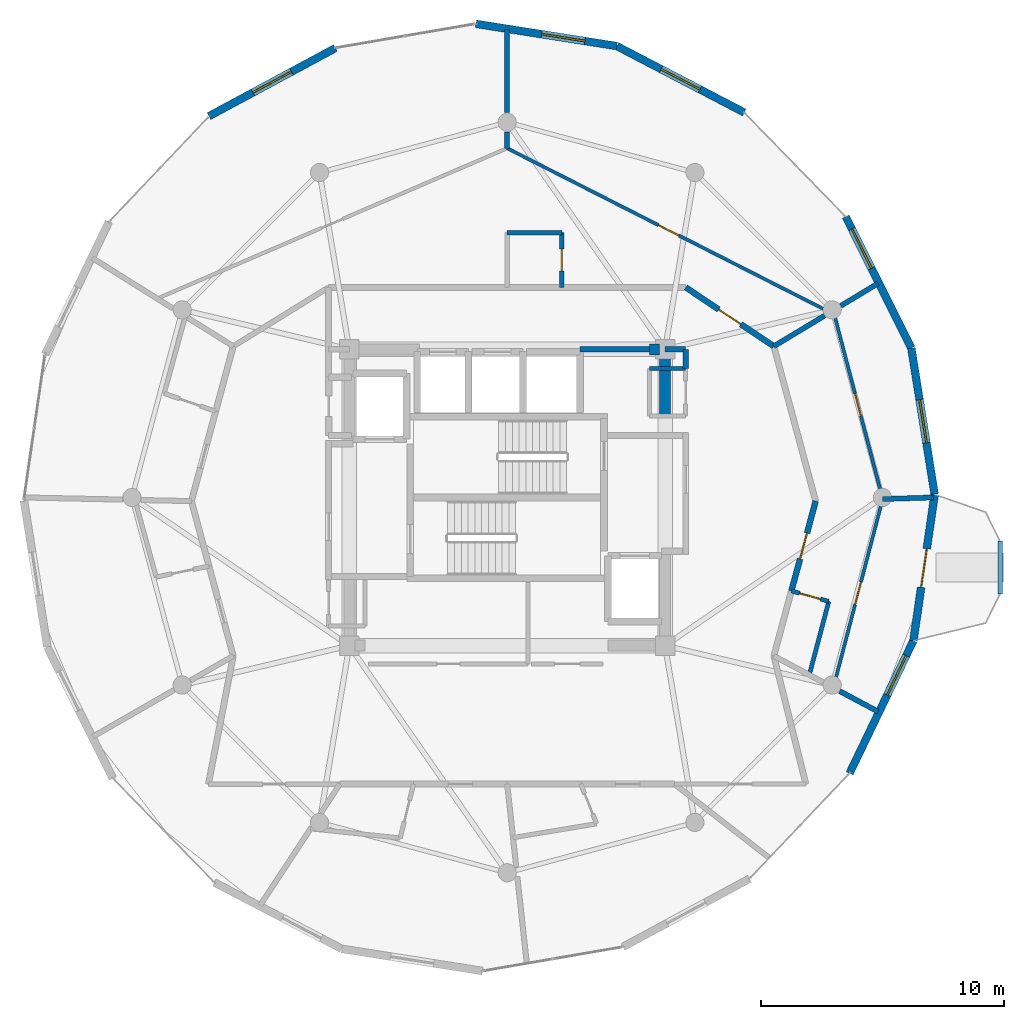
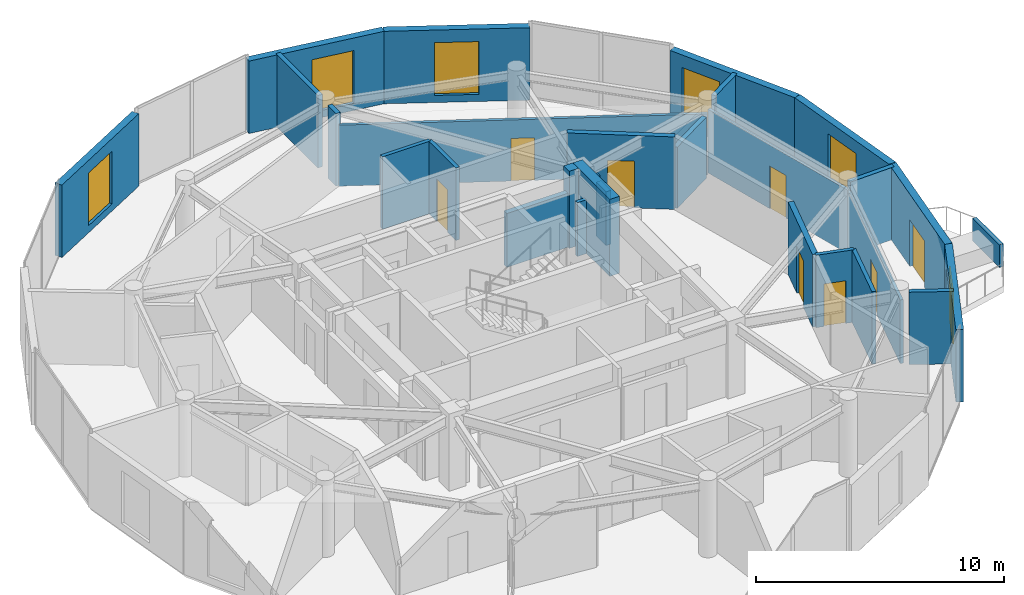
# One storey, part 19 of 22: 29 walls, 8 doors, 6 windows, 14 openings.
"""IFC4 building model written with IfcOpenShell, lengths in metres."""

from ifc_helpers import new_model, si_unit, direction, frame, frame_2d, origin, place, context, subcontext, project, spatial, rectangle, extrude, material, layer, layer_set, type_object, element, fill, save


model = new_model("IFC4")

# Units and contexts
model_context = context("Model", 3, precision=1e-05, world=origin(), true_north=direction((0.0, 1.0)))
body_context = subcontext(model_context, "Body", "Model", "MODEL_VIEW")
ifc_project = project(units=[si_unit("LENGTHUNIT", "METRE"), si_unit("AREAUNIT", "SQUARE_METRE"), si_unit("VOLUMEUNIT", "CUBIC_METRE"), si_unit("PLANEANGLEUNIT", "RADIAN"), si_unit("MASSUNIT", "GRAM", prefix="KILO")], contexts=[model_context])

# Site, building, storey
site_placement = place(None, origin())
site = spatial("IfcSite", under=ifc_project, at=site_placement, CompositionType="ELEMENT")
building_placement = place(site_placement, origin())
building = spatial("IfcBuilding", under=site, at=building_placement, Name="Solvirekh Grand Hotel", CompositionType="ELEMENT")
storey_placement = place(building_placement, frame((0.0, 0.0, 278.199951171875)))
storey = spatial("IfcBuildingStorey", under=building, at=storey_placement, Name="L72", CompositionType="ELEMENT", Elevation=278.199951171875)

# Walls
ifc_material_1 = material(Name="Concrete C50/60", Category="concrete")
ifc_layer_1 = layer(ifc_material_1, 0.449951171875)
ifc_layer_set_1 = layer_set([ifc_layer_1], Name="Concrete C50/60")
wall_type_1 = type_object("IfcWallType", Name="CoreWall_RC450", PredefinedType="SHEAR", material=ifc_layer_set_1)
wall_1_placement = place(storey_placement, frame((5.85009765625, 6.10009765625, 0.0), z_axis=(0.0, 0.0, 1.0), x_axis=(1.0, 0.0, 0.0)))
element("IfcWall", 1, at=wall_1_placement, inside=storey, type_object=wall_type_1, Name="L72 core corner shear wall NE-N", PredefinedType="SHEAR", context=body_context, shape_type="SweptSolid", body=[
    extrude(rectangle(XDim=0.4248046875, YDim=0.449951171875, at=frame_2d((0.21240234375, 0.0))), origin(), (0.0, 0.0, 1.0), 3.800048828125),
])
wall_2_placement = place(storey_placement, frame((6.5, 3.35009765625, 0.0), z_axis=(0.0, 0.0, 1.0), x_axis=(0.0, 1.0, 0.0)))
element("IfcWall", 2, at=wall_2_placement, inside=storey, type_object=wall_type_1, Name="L72 core corner shear wall EN-E", PredefinedType="SHEAR", context=body_context, shape_type="SweptSolid", body=[
    extrude(rectangle(XDim=2.974853515625, YDim=0.449951171875, at=frame_2d((1.4873046875, 0.0))), origin(), (0.0, 0.0, 1.0), 3.800048828125),
])

# Wall, opening, window
ifc_material_2 = material(Name="Precast concrete C45/55", Category="concrete")
ifc_layer_2 = layer(ifc_material_2, 0.320068359375)
ifc_layer_set_2 = layer_set([ifc_layer_2], Name="Precast concrete C45/55")
wall_type_2 = type_object("IfcWallType", Name="ExtLobbyWall_RC320", PredefinedType="SOLIDWALL", material=ifc_layer_set_2)
wall_3_placement = place(storey_placement, frame((16.72412109375, -5.90087890625, 0.0), z_axis=(0.0, 0.0, 1.0), x_axis=(-0.433611899422, -0.901099728487, 0.0)))
wall_3 = element("IfcWall", 3, at=wall_3_placement, inside=storey, type_object=wall_type_2, Name="L72 exterior structural wall chord 4", PredefinedType="SOLIDWALL", context=body_context, shape_type="SweptSolid", body=[
    extrude(rectangle(XDim=6.0537109375, YDim=0.320068359375, at=frame_2d((3.02685546875, 0.0))), origin(), (0.0, 0.0, 1.0), 3.570068359375),
])
opening_1_placement = place(wall_3_placement, frame((0.678955078125, 0.0, 0.35009765625)))
opening_1 = element("IfcOpeningElement", 4, at=opening_1_placement, cuts=wall_3, Name="Opening W02", PredefinedType="OPENING", context=body_context, shape_type="SweptSolid", body=[
    extrude(rectangle(XDim=1.800048828125, YDim=2.60009765625, at=frame_2d((0.89990234375, 1.300048828125))), frame((0.0, 0.169921875, 0.0), z_axis=(0.0, -1.0, 0.0), x_axis=(1.0, 0.0, 0.0)), (0.0, 0.0, 1.0), 0.340087890625),
])
ifc_material_3 = material(Name="Low-E Tinted Bronze Laminated Glass", Category="aluminium")
window_type = type_object("IfcWindowType", Name="Win_LobbyExt_1800X2600", PartitioningType="SINGLE_PANEL", PredefinedType="WINDOW", material=ifc_material_3)
window_1_placement = place(opening_1_placement, origin())
window_1 = element("IfcWindow", 5, at=window_1_placement, inside=storey, type_object=window_type, Name="L72 panoramic bronze-framed window 4", OverallHeight=2.60009765625, OverallWidth=1.800048828125, PartitioningType="SINGLE_PANEL", PredefinedType="WINDOW", context=body_context, shape_type="SweptSolid", body=[
    extrude(rectangle(XDim=1.800048828125, YDim=2.60009765625, at=frame_2d((0.89990234375, 1.300048828125))), frame((0.0, 0.030029296875, 0.0), z_axis=(0.0, -1.0, 0.0), x_axis=(1.0, 0.0, 0.0)), (0.0, 0.0, 1.0), 0.06005859375),
])
fill(opening_1, window_1)

# Wall, opening, door
wall_4_placement = place(storey_placement, frame((17.60009765625, 0.131103515625, 0.0), z_axis=(0.0, 0.0, 1.0), x_axis=(-0.14371448036, -0.989619193496, 0.0)))
wall_4 = element("IfcWall", 6, at=wall_4_placement, inside=storey, type_object=wall_type_2, Name="L72 exterior structural wall chord 5", PredefinedType="SOLIDWALL", context=body_context, shape_type="SweptSolid", body=[
    extrude(rectangle(XDim=6.09521484375, YDim=0.320068359375, at=frame_2d((3.047607421875, 0.0))), origin(), (0.0, 0.0, 1.0), 3.570068359375),
])
opening_2_placement = place(wall_4_placement, frame((2.26708984375, 0.0, 0.0)))
opening_2 = element("IfcOpeningElement", 7, at=opening_2_placement, cuts=wall_4, Name="Opening D04", PredefinedType="OPENING", context=body_context, shape_type="SweptSolid", body=[
    extrude(rectangle(XDim=1.60009765625, YDim=2.300048828125, at=frame_2d((0.800048828125, 1.14990234375))), frame((0.0, 0.169921875, 0.0), z_axis=(0.0, -1.0, 0.0), x_axis=(1.0, 0.0, 0.0)), (0.0, 0.0, 1.0), 0.340087890625),
])
ifc_material_4 = material(Name="Anodized Bronze Aluminium 6063-T6", Category="aluminium")
door_type_1 = type_object("IfcDoorType", Name="Door_ExtTerrace_1600X2300", OperationType="NOTDEFINED", PredefinedType="DOOR", material=ifc_material_4)
door_1_placement = place(opening_2_placement, origin())
door_1 = element("IfcDoor", 8, at=door_1_placement, inside=storey, type_object=door_type_1, Name="L72 East horn sky-garden terrace door (5)", OperationType="SINGLE_SWING_RIGHT", OverallHeight=2.300048828125, OverallWidth=1.60009765625, PredefinedType="DOOR", context=body_context, shape_type="SweptSolid", body=[
    extrude(rectangle(XDim=1.60009765625, YDim=2.300048828125, at=frame_2d((0.800048828125, 1.14990234375))), frame((0.0, 0.02490234375, 0.0), z_axis=(0.0, -1.0, 0.0), x_axis=(1.0, 0.0, 0.0)), (0.0, 0.0, 1.0), 0.050048828125),
])
fill(opening_2, door_1)

# Wall, opening, window
wall_5_placement = place(storey_placement, frame((16.639892578125, 6.14990234375, 0.0), z_axis=(0.0, 0.0, 1.0), x_axis=(0.157542114764, -0.987512269329, 0.0)))
wall_5 = element("IfcWall", 9, at=wall_5_placement, inside=storey, type_object=wall_type_2, Name="L72 exterior structural wall chord 6", PredefinedType="SOLIDWALL", context=body_context, shape_type="SweptSolid", body=[
    extrude(rectangle(XDim=6.094970703125, YDim=0.320068359375, at=frame_2d((3.04736328125, 0.0))), origin(), (0.0, 0.0, 1.0), 3.570068359375),
])
opening_3_placement = place(wall_5_placement, frame((2.14794921875, 0.0, 0.35009765625)))
opening_3 = element("IfcOpeningElement", 10, at=opening_3_placement, cuts=wall_5, Name="Opening W02", PredefinedType="OPENING", context=body_context, shape_type="SweptSolid", body=[
    extrude(rectangle(XDim=1.800048828125, YDim=2.60009765625, at=frame_2d((0.89990234375, 1.300048828125))), frame((0.0, 0.169921875, 0.0), z_axis=(0.0, -1.0, 0.0), x_axis=(1.0, 0.0, 0.0)), (0.0, 0.0, 1.0), 0.340087890625),
])
window_2_placement = place(opening_3_placement, origin())
window_2 = element("IfcWindow", 11, at=window_2_placement, inside=storey, type_object=window_type, Name="L72 panoramic bronze-framed window 6", OverallHeight=2.60009765625, OverallWidth=1.800048828125, PartitioningType="SINGLE_PANEL", PredefinedType="WINDOW", context=body_context, shape_type="SweptSolid", body=[
    extrude(rectangle(XDim=1.800048828125, YDim=2.60009765625, at=frame_2d((0.89990234375, 1.300048828125))), frame((0.0, 0.030029296875, 0.0), z_axis=(0.0, -1.0, 0.0), x_axis=(1.0, 0.0, 0.0)), (0.0, 0.0, 1.0), 0.06005859375),
])
fill(opening_3, window_2)

wall_6_placement = place(storey_placement, frame((13.93896484375, 11.56689453125, 0.0), z_axis=(0.0, 0.0, 1.0), x_axis=(0.44621303713, -0.894926771024, 0.0)))
wall_6 = element("IfcWall", 12, at=wall_6_placement, inside=storey, type_object=wall_type_2, Name="L72 exterior structural wall chord 7", PredefinedType="SOLIDWALL", context=body_context, shape_type="SweptSolid", body=[
    extrude(rectangle(XDim=6.052978515625, YDim=0.320068359375, at=frame_2d((3.0263671875, 0.0))), origin(), (0.0, 0.0, 1.0), 3.570068359375),
])
opening_4_placement = place(wall_6_placement, frame((0.577880859375, 0.0, 0.35009765625)))
opening_4 = element("IfcOpeningElement", 13, at=opening_4_placement, cuts=wall_6, Name="Opening W02", PredefinedType="OPENING", context=body_context, shape_type="SweptSolid", body=[
    extrude(rectangle(XDim=1.800048828125, YDim=2.60009765625, at=frame_2d((0.89990234375, 1.300048828125))), frame((0.0, 0.169921875, 0.0), z_axis=(0.0, -1.0, 0.0), x_axis=(1.0, 0.0, 0.0)), (0.0, 0.0, 1.0), 0.340087890625),
])
window_3_placement = place(opening_4_placement, origin())
window_3 = element("IfcWindow", 14, at=window_3_placement, inside=storey, type_object=window_type, Name="L72 panoramic bronze-framed window 7", OverallHeight=2.60009765625, OverallWidth=1.800048828125, PartitioningType="SINGLE_PANEL", PredefinedType="WINDOW", context=body_context, shape_type="SweptSolid", body=[
    extrude(rectangle(XDim=1.800048828125, YDim=2.60009765625, at=frame_2d((0.89990234375, 1.300048828125))), frame((0.0, 0.030029296875, 0.0), z_axis=(0.0, -1.0, 0.0), x_axis=(1.0, 0.0, 0.0)), (0.0, 0.0, 1.0), 0.06005859375),
])
fill(opening_4, window_3)

wall_7_placement = place(storey_placement, frame((4.513916015625, 18.5859375, 0.0), z_axis=(0.0, 0.0, 1.0), x_axis=(0.886842224504, -0.462072363205, 0.0)))
wall_7 = element("IfcWall", 15, at=wall_7_placement, inside=storey, type_object=wall_type_2, Name="L72 exterior structural wall chord 9", PredefinedType="SOLIDWALL", context=body_context, shape_type="SweptSolid", body=[
    extrude(rectangle(XDim=5.91650390625, YDim=0.320068359375, at=frame_2d((2.958251953125, 0.0))), origin(), (0.0, 0.0, 1.0), 3.570068359375),
])
opening_5_placement = place(wall_7_placement, frame((2.05810546875, 0.0, 0.35009765625)))
opening_5 = element("IfcOpeningElement", 16, at=opening_5_placement, cuts=wall_7, Name="Opening W02", PredefinedType="OPENING", context=body_context, shape_type="SweptSolid", body=[
    extrude(rectangle(XDim=1.800048828125, YDim=2.60009765625, at=frame_2d((0.89990234375, 1.300048828125))), frame((0.0, 0.169921875, 0.0), z_axis=(0.0, -1.0, 0.0), x_axis=(1.0, 0.0, 0.0)), (0.0, 0.0, 1.0), 0.340087890625),
])
window_4_placement = place(opening_5_placement, origin())
window_4 = element("IfcWindow", 17, at=window_4_placement, inside=storey, type_object=window_type, Name="L72 panoramic bronze-framed window 9", OverallHeight=2.60009765625, OverallWidth=1.800048828125, PartitioningType="SINGLE_PANEL", PredefinedType="WINDOW", context=body_context, shape_type="SweptSolid", body=[
    extrude(rectangle(XDim=1.800048828125, YDim=2.60009765625, at=frame_2d((0.89990234375, 1.300048828125))), frame((0.0, 0.030029296875, 0.0), z_axis=(0.0, -1.0, 0.0), x_axis=(1.0, 0.0, 0.0)), (0.0, 0.0, 1.0), 0.06005859375),
])
fill(opening_5, window_4)

wall_8_placement = place(storey_placement, frame((-1.285888671875, 19.5, 0.0), z_axis=(0.0, 0.0, 1.0), x_axis=(0.987807428438, -0.155680712749, 0.0)))
wall_8 = element("IfcWall", 18, at=wall_8_placement, inside=storey, type_object=wall_type_2, Name="L72 exterior structural wall chord 10", PredefinedType="SOLIDWALL", context=body_context, shape_type="SweptSolid", body=[
    extrude(rectangle(XDim=5.871337890625, YDim=0.320068359375, at=frame_2d((2.935546875, 0.0))), origin(), (0.0, 0.0, 1.0), 3.570068359375),
])
opening_6_placement = place(wall_8_placement, frame((2.739990234375, 0.0, 0.35009765625)))
opening_6 = element("IfcOpeningElement", 19, at=opening_6_placement, cuts=wall_8, Name="Opening W02", PredefinedType="OPENING", context=body_context, shape_type="SweptSolid", body=[
    extrude(rectangle(XDim=1.800048828125, YDim=2.60009765625, at=frame_2d((0.89990234375, 1.300048828125))), frame((0.0, 0.169921875, 0.0), z_axis=(0.0, -1.0, 0.0), x_axis=(1.0, 0.0, 0.0)), (0.0, 0.0, 1.0), 0.340087890625),
])
window_5_placement = place(opening_6_placement, origin())
window_5 = element("IfcWindow", 20, at=window_5_placement, inside=storey, type_object=window_type, Name="L72 panoramic bronze-framed window 10", OverallHeight=2.60009765625, OverallWidth=1.800048828125, PartitioningType="SINGLE_PANEL", PredefinedType="WINDOW", context=body_context, shape_type="SweptSolid", body=[
    extrude(rectangle(XDim=1.800048828125, YDim=2.60009765625, at=frame_2d((0.89990234375, 1.300048828125))), frame((0.0, 0.030029296875, 0.0), z_axis=(0.0, -1.0, 0.0), x_axis=(1.0, 0.0, 0.0)), (0.0, 0.0, 1.0), 0.06005859375),
])
fill(opening_6, window_5)

wall_9_placement = place(storey_placement, frame((-12.281005859375, 15.698974609375, 0.0), z_axis=(0.0, 0.0, 1.0), x_axis=(0.880358436165, 0.474308996196, 0.0)))
wall_9 = element("IfcWall", 21, at=wall_9_placement, inside=storey, type_object=wall_type_2, Name="L72 exterior structural wall chord 12", PredefinedType="SOLIDWALL", context=body_context, shape_type="SweptSolid", body=[
    extrude(rectangle(XDim=5.915771484375, YDim=0.320068359375, at=frame_2d((2.9580078125, 0.0))), origin(), (0.0, 0.0, 1.0), 3.570068359375),
])
opening_7_placement = place(wall_9_placement, frame((2.05810546875, 0.0, 0.35009765625)))
opening_7 = element("IfcOpeningElement", 22, at=opening_7_placement, cuts=wall_9, Name="Opening W02", PredefinedType="OPENING", context=body_context, shape_type="SweptSolid", body=[
    extrude(rectangle(XDim=1.800048828125, YDim=2.60009765625, at=frame_2d((0.89990234375, 1.300048828125))), frame((0.0, 0.169921875, 0.0), z_axis=(0.0, -1.0, 0.0), x_axis=(1.0, 0.0, 0.0)), (0.0, 0.0, 1.0), 0.340087890625),
])
window_6_placement = place(opening_7_placement, origin())
window_6 = element("IfcWindow", 23, at=window_6_placement, inside=storey, type_object=window_type, Name="L72 panoramic bronze-framed window 12", OverallHeight=2.60009765625, OverallWidth=1.800048828125, PartitioningType="SINGLE_PANEL", PredefinedType="WINDOW", context=body_context, shape_type="SweptSolid", body=[
    extrude(rectangle(XDim=1.800048828125, YDim=2.60009765625, at=frame_2d((0.89990234375, 1.300048828125))), frame((0.0, 0.030029296875, 0.0), z_axis=(0.0, -1.0, 0.0), x_axis=(1.0, 0.0, 0.0)), (0.0, 0.0, 1.0), 0.06005859375),
])
fill(opening_7, window_6)

# Walls
ifc_layer_3 = layer(ifc_material_2, 0.179931640625)
ifc_layer_set_3 = layer_set([ifc_layer_3], Name="Precast concrete C45/55")
wall_type_3 = type_object("IfcWallType", Name="ExtPlanterWall_180", PredefinedType="PARAPET", material=ifc_layer_set_3)
wall_10_placement = place(storey_placement, frame((20.300048828125, -3.970947265625, 0.0), z_axis=(0.0, 0.0, 1.0), x_axis=(0.0, 1.0, 0.0)))
element("IfcWall", 24, at=wall_10_placement, inside=storey, type_object=wall_type_3, Name="L72 horn sky-garden planter parapet", PredefinedType="PARAPET", context=body_context, shape_type="SweptSolid", body=[
    extrude(rectangle(XDim=2.171875, YDim=0.179931640625, at=frame_2d((1.0859375, 0.0))), origin(), (0.0, 0.0, 1.0), 1.1201171875),
])
ifc_material_5 = material(Name="Acoustic Gypsum Partition Assembly")
ifc_layer_4 = layer(ifc_material_5, 0.1650390625)
ifc_layer_set_4 = layer_set([ifc_layer_4], Name="Acoustic Gypsum Partition Assembly")
wall_type_4 = type_object("IfcWallType", Name="Part_BOH_165", PredefinedType="PARTITIONING", material=ifc_layer_set_4)
wall_11_placement = place(storey_placement, frame((7.35009765625, 5.300048828125, 0.0), z_axis=(0.0, 0.0, 1.0), x_axis=(-1.0, 0.0, 0.0)))
element("IfcWall", 25, at=wall_11_placement, inside=storey, type_object=wall_type_4, Name="L72 L72 Core Housekeeping Room wall 3", PredefinedType="PARTITIONING", context=body_context, shape_type="SweptSolid", body=[
    extrude(rectangle(XDim=1.5, YDim=0.1650390625, at=frame_2d((0.75, 0.0))), origin(), (0.0, 0.0, 1.0), 2.655029296875),
])
ifc_layer_5 = layer(ifc_material_5, 0.239990234375)
ifc_layer_set_5 = layer_set([ifc_layer_5], Name="Acoustic Gypsum Partition Assembly")
wall_type_5 = type_object("IfcWallType", Name="Part_Corridor_240", PredefinedType="PARTITIONING", material=ifc_layer_set_5)
wall_12_placement = place(storey_placement, frame((3.0, 6.10009765625, 0.0), z_axis=(0.0, 0.0, 1.0), x_axis=(1.0, 0.0, 0.0)))
element("IfcWall", 26, at=wall_12_placement, inside=storey, type_object=wall_type_5, Name="L72 north core shaft infill wall", PredefinedType="PARTITIONING", context=body_context, shape_type="SweptSolid", body=[
    extrude(rectangle(XDim=2.85009765625, YDim=0.239990234375, at=frame_2d((1.425048828125, 0.0))), origin(), (0.0, 0.0, 1.0), 2.655029296875),
])
wall_13_placement = place(storey_placement, frame((7.35009765625, 5.300048828125, 0.0), z_axis=(0.0, 0.0, 1.0), x_axis=(0.0, 1.0, 0.0)))
element("IfcWall", 27, at=wall_13_placement, inside=storey, type_object=wall_type_5, Name="L72 NE core cheek closure wall", PredefinedType="PARTITIONING", context=body_context, shape_type="SweptSolid", body=[
    extrude(rectangle(XDim=0.800048828125, YDim=0.239990234375, at=frame_2d((0.39990234375, 0.0))), origin(), (0.0, 0.0, 1.0), 2.655029296875),
])
wall_14_placement = place(storey_placement, frame((6.5, 6.10009765625, 0.0), z_axis=(0.0, 0.0, 1.0), x_axis=(1.0, 0.0, 0.0)))
element("IfcWall", 28, at=wall_14_placement, inside=storey, type_object=wall_type_5, Name="L72 NE core corner tie wall", PredefinedType="PARTITIONING", context=body_context, shape_type="SweptSolid", body=[
    extrude(rectangle(XDim=0.85009765625, YDim=0.239990234375, at=frame_2d((0.425048828125, 0.0))), origin(), (0.0, 0.0, 1.0), 3.010986328125),
])

# Wall, opening, door
wall_15_placement = place(storey_placement, frame((7.35009765625, 8.64990234375, 0.0), z_axis=(0.0, 0.0, 1.0), x_axis=(0.831395547998, -0.555681062094, 0.0)))
wall_15 = element("IfcWall", 29, at=wall_15_placement, inside=storey, type_object=wall_type_5, Name="L72 Panorama Suite 7401 Inner Suite Lounge entrance wall", PredefinedType="PARTITIONING", context=body_context, shape_type="SweptSolid", body=[
    extrude(rectangle(XDim=4.36376953125, YDim=0.239990234375, at=frame_2d((2.181884765625, 0.0))), origin(), (0.0, 0.0, 1.0), 3.570068359375),
])
opening_8_placement = place(wall_15_placement, frame((1.632080078125, 0.0, 0.0)))
opening_8 = element("IfcOpeningElement", 30, at=opening_8_placement, cuts=wall_15, Name="Opening D08", PredefinedType="OPENING", context=body_context, shape_type="SweptSolid", body=[
    extrude(rectangle(XDim=1.10009765625, YDim=2.300048828125, at=frame_2d((0.550048828125, 1.14990234375))), frame((0.0, 0.1298828125, 0.0), z_axis=(0.0, -1.0, 0.0), x_axis=(1.0, 0.0, 0.0)), (0.0, 0.0, 1.0), 0.260009765625),
])
ifc_material_6 = material(Name="Fire-Rated Steel Door Assembly", Category="steel")
door_type_2 = type_object("IfcDoorType", Name="Door_SuiteEntry_1100X2300", OperationType="NOTDEFINED", PredefinedType="DOOR", material=ifc_material_6)
door_2_placement = place(opening_8_placement, origin())
door_2 = element("IfcDoor", 31, at=door_2_placement, inside=storey, type_object=door_type_2, Name="L72 Panorama Suite 7401 Inner Suite Lounge entrance door", OperationType="SINGLE_SWING_LEFT", OverallHeight=2.300048828125, OverallWidth=1.10009765625, PredefinedType="DOOR", context=body_context, shape_type="SweptSolid", body=[
    extrude(rectangle(XDim=1.10009765625, YDim=2.300048828125, at=frame_2d((0.550048828125, 1.14990234375))), frame((0.0, 0.02490234375, 0.0), z_axis=(0.0, -1.0, 0.0), x_axis=(1.0, 0.0, 0.0)), (0.0, 0.0, 1.0), 0.050048828125),
])
fill(opening_8, door_2)

wall_16_placement = place(storey_placement, frame((11.700927734375, -3.847900390625, 0.0), z_axis=(0.0, 0.0, 1.0), x_axis=(0.260803073576, 0.965392022348, 0.0)))
wall_16 = element("IfcWall", 32, at=wall_16_placement, inside=storey, type_object=wall_type_5, Name="L72 Executive Suite 7404 Living Room entrance wall", PredefinedType="PARTITIONING", context=body_context, shape_type="SweptSolid", body=[
    extrude(rectangle(XDim=3.83056640625, YDim=0.239990234375, at=frame_2d((1.915283203125, 0.0))), origin(), (0.0, 0.0, 1.0), 3.570068359375),
])
opening_9_placement = place(wall_16_placement, frame((1.364990234375, 0.0, 0.0)))
opening_9 = element("IfcOpeningElement", 33, at=opening_9_placement, cuts=wall_16, Name="Opening D08", PredefinedType="OPENING", context=body_context, shape_type="SweptSolid", body=[
    extrude(rectangle(XDim=1.10009765625, YDim=2.300048828125, at=frame_2d((0.550048828125, 1.14990234375))), frame((0.0, 0.1298828125, 0.0), z_axis=(0.0, -1.0, 0.0), x_axis=(1.0, 0.0, 0.0)), (0.0, 0.0, 1.0), 0.260009765625),
])
door_3_placement = place(opening_9_placement, origin())
door_3 = element("IfcDoor", 34, at=door_3_placement, inside=storey, type_object=door_type_2, Name="L72 Executive Suite 7404 Living Room entrance door", OperationType="SINGLE_SWING_LEFT", OverallHeight=2.300048828125, OverallWidth=1.10009765625, PredefinedType="DOOR", context=body_context, shape_type="SweptSolid", body=[
    extrude(rectangle(XDim=1.10009765625, YDim=2.300048828125, at=frame_2d((0.550048828125, 1.14990234375))), frame((0.0, 0.02490234375, 0.0), z_axis=(0.0, -1.0, 0.0), x_axis=(1.0, 0.0, 0.0)), (0.0, 0.0, 1.0), 0.050048828125),
])
fill(opening_9, door_3)

ifc_layer_6 = layer(ifc_material_5, 0.135009765625)
ifc_layer_set_6 = layer_set([ifc_layer_6], Name="Acoustic Gypsum Partition Assembly")
wall_type_6 = type_object("IfcWallType", Name="Part_RoomInt_135", PredefinedType="PARTITIONING", material=ifc_layer_set_6)
wall_17_placement = place(storey_placement, frame((0.0, 14.3779296875, 0.0), z_axis=(0.0, 0.0, 1.0), x_axis=(0.891513801847, -0.452993533195, 0.0)))
wall_17 = element("IfcWall", 35, at=wall_17_placement, inside=storey, type_object=wall_type_6, Name="L72 Panorama Suite 7401 North Sitting Room bedroom screen wall", PredefinedType="PARTITIONING", context=body_context, shape_type="SweptSolid", body=[
    extrude(rectangle(XDim=14.91162109375, YDim=0.135009765625, at=frame_2d((7.455810546875, 0.0))), origin(), (0.0, 0.0, 1.0), 3.010986328125),
])
opening_10_placement = place(wall_17_placement, frame((6.98095703125, 0.0, 0.0)))
opening_10 = element("IfcOpeningElement", 36, at=opening_10_placement, cuts=wall_17, Name="Opening D10", PredefinedType="OPENING", context=body_context, shape_type="SweptSolid", body=[
    extrude(rectangle(XDim=0.949951171875, YDim=2.10009765625, at=frame_2d((0.47509765625, 1.050048828125))), frame((0.0, 0.07763671875, 0.0), z_axis=(0.0, -1.0, 0.0), x_axis=(1.0, 0.0, 0.0)), (0.0, 0.0, 1.0), 0.155029296875),
])
door_type_3 = type_object("IfcDoorType", Name="Door_RoomInt_950X2100", OperationType="NOTDEFINED", PredefinedType="DOOR", material=ifc_material_4)
door_4_placement = place(opening_10_placement, origin())
door_4 = element("IfcDoor", 37, at=door_4_placement, inside=storey, type_object=door_type_3, Name="L72 Panorama Suite 7401 North Sitting Room master bedroom door", OperationType="SINGLE_SWING_RIGHT", OverallHeight=2.10009765625, OverallWidth=0.949951171875, PredefinedType="DOOR", context=body_context, shape_type="SweptSolid", body=[
    extrude(rectangle(XDim=0.949951171875, YDim=2.10009765625, at=frame_2d((0.47509765625, 1.050048828125))), frame((0.0, 0.02490234375, 0.0), z_axis=(0.0, -1.0, 0.0), x_axis=(1.0, 0.0, 0.0)), (0.0, 0.0, 1.0), 0.050048828125),
])
fill(opening_10, door_4)

wall_18_placement = place(storey_placement, frame((13.427001953125, -7.8330078125, 0.0), z_axis=(0.0, 0.0, 1.0), x_axis=(0.253066711185, 0.967448830528, 0.0)))
wall_18 = element("IfcWall", 38, at=wall_18_placement, inside=storey, type_object=wall_type_6, Name="L72 Executive Suite 7404 Living Room bedroom screen wall", PredefinedType="PARTITIONING", context=body_context, shape_type="SweptSolid", body=[
    extrude(rectangle(XDim=8.029541015625, YDim=0.135009765625, at=frame_2d((4.0146484375, 0.0))), origin(), (0.0, 0.0, 1.0), 3.136962890625),
])
opening_11_placement = place(wall_18_placement, frame((3.5400390625, 0.0, 0.0)))
opening_11 = element("IfcOpeningElement", 39, at=opening_11_placement, cuts=wall_18, Name="Opening D10", PredefinedType="OPENING", context=body_context, shape_type="SweptSolid", body=[
    extrude(rectangle(XDim=0.949951171875, YDim=2.10009765625, at=frame_2d((0.47509765625, 1.050048828125))), frame((0.0, 0.07763671875, 0.0), z_axis=(0.0, -1.0, 0.0), x_axis=(1.0, 0.0, 0.0)), (0.0, 0.0, 1.0), 0.155029296875),
])
door_5_placement = place(opening_11_placement, origin())
door_5 = element("IfcDoor", 40, at=door_5_placement, inside=storey, type_object=door_type_3, Name="L72 Executive Suite 7404 Living Room master bedroom door", OperationType="SINGLE_SWING_RIGHT", OverallHeight=2.10009765625, OverallWidth=0.949951171875, PredefinedType="DOOR", context=body_context, shape_type="SweptSolid", body=[
    extrude(rectangle(XDim=0.949951171875, YDim=2.10009765625, at=frame_2d((0.47509765625, 1.050048828125))), frame((0.0, 0.02490234375, 0.0), z_axis=(0.0, -1.0, 0.0), x_axis=(1.0, 0.0, 0.0)), (0.0, 0.0, 1.0), 0.050048828125),
])
fill(opening_11, door_5)

wall_19_placement = place(storey_placement, frame((15.458984375, -0.06494140625, 0.0), z_axis=(0.0, 0.0, 1.0), x_axis=(-0.253589081107, 0.967312037526, 0.0)))
wall_19 = element("IfcWall", 41, at=wall_19_placement, inside=storey, type_object=wall_type_6, Name="L72 Executive Suite 7404 Panorama Suite Study bedroom screen wall", PredefinedType="PARTITIONING", context=body_context, shape_type="SweptSolid", body=[
    extrude(rectangle(XDim=8.0283203125, YDim=0.135009765625, at=frame_2d((4.01416015625, 0.0))), origin(), (0.0, 0.0, 1.0), 3.136962890625),
])
opening_12_placement = place(wall_19_placement, frame((3.5390625, 0.0, 0.0)))
opening_12 = element("IfcOpeningElement", 42, at=opening_12_placement, cuts=wall_19, Name="Opening D10", PredefinedType="OPENING", context=body_context, shape_type="SweptSolid", body=[
    extrude(rectangle(XDim=0.949951171875, YDim=2.10009765625, at=frame_2d((0.47509765625, 1.050048828125))), frame((0.0, 0.07763671875, 0.0), z_axis=(0.0, -1.0, 0.0), x_axis=(1.0, 0.0, 0.0)), (0.0, 0.0, 1.0), 0.155029296875),
])
door_6_placement = place(opening_12_placement, origin())
door_6 = element("IfcDoor", 43, at=door_6_placement, inside=storey, type_object=door_type_3, Name="L72 Executive Suite 7404 Panorama Suite Study master bedroom door", OperationType="SINGLE_SWING_LEFT", OverallHeight=2.10009765625, OverallWidth=0.949951171875, PredefinedType="DOOR", context=body_context, shape_type="SweptSolid", body=[
    extrude(rectangle(XDim=0.949951171875, YDim=2.10009765625, at=frame_2d((0.47509765625, 1.050048828125))), frame((0.0, 0.02490234375, 0.0), z_axis=(0.0, -1.0, 0.0), x_axis=(1.0, 0.0, 0.0)), (0.0, 0.0, 1.0), 0.050048828125),
])
fill(opening_12, door_6)

# Walls
ifc_layer_7 = layer(ifc_material_5, 0.2099609375)
ifc_layer_set_7 = layer_set([ifc_layer_7], Name="Acoustic Gypsum Partition Assembly")
wall_type_7 = type_object("IfcWallType", Name="Part_SuiteDemise_210", PredefinedType="PARTITIONING", material=ifc_layer_set_7)
wall_20_placement = place(storey_placement, frame((10.97802734375, 6.22509765625, 0.0), z_axis=(0.0, 0.0, 1.0), x_axis=(0.856173916647, 0.516687743664, 0.0)))
element("IfcWall", 44, at=wall_20_placement, inside=storey, type_object=wall_type_7, Name="L72 suite radial wall 2 (A)", PredefinedType="PARTITIONING", context=body_context, shape_type="SweptSolid", body=[
    extrude(rectangle(XDim=2.438720703125, YDim=0.2099609375, at=frame_2d((1.21923828125, 0.0))), origin(), (0.0, 0.0, 1.0), 3.010986328125),
])
wall_21_placement = place(storey_placement, frame((13.738037109375, 7.89111328125, 0.0), z_axis=(0.0, 0.0, 1.0), x_axis=(0.856151167904, 0.516725437439, 0.0)))
element("IfcWall", 45, at=wall_21_placement, inside=storey, type_object=wall_type_7, Name="L72 suite radial wall 2 (B)", PredefinedType="PARTITIONING", context=body_context, shape_type="SweptSolid", body=[
    extrude(rectangle(XDim=1.785888671875, YDim=0.2099609375, at=frame_2d((0.89306640625, 0.0))), origin(), (0.0, 0.0, 1.0), 3.570068359375),
])
wall_22_placement = place(storey_placement, frame((13.68798828125, -7.971923828125, 0.0), z_axis=(0.0, 0.0, 1.0), x_axis=(0.882165026319, -0.470940406358, 0.0)))
element("IfcWall", 46, at=wall_22_placement, inside=storey, type_object=wall_type_7, Name="L72 suite radial wall 12 (B)", PredefinedType="PARTITIONING", context=body_context, shape_type="SweptSolid", body=[
    extrude(rectangle(XDim=1.798828125, YDim=0.2099609375, at=frame_2d((0.8994140625, 0.0))), origin(), (0.0, 0.0, 1.0), 3.570068359375),
])
wall_23_placement = place(storey_placement, frame((0.0, 14.3779296875, 0.0), z_axis=(0.0, 0.0, 1.0), x_axis=(0.0, 1.0, 0.0)))
element("IfcWall", 47, at=wall_23_placement, inside=storey, type_object=wall_type_7, Name="L72 Panorama Suite 7401 North Sitting Room dividing partition 1 (A)", PredefinedType="PARTITIONING", context=body_context, shape_type="SweptSolid", body=[
    extrude(rectangle(XDim=0.677001953125, YDim=0.2099609375, at=frame_2d((0.33837890625, 0.0))), origin(), (0.0, 0.0, 1.0), 3.570068359375),
])
wall_24_placement = place(storey_placement, frame((0.0, 15.844970703125, 0.0), z_axis=(0.0, 0.0, 1.0), x_axis=(0.0, 1.0, 0.0)))
element("IfcWall", 48, at=wall_24_placement, inside=storey, type_object=wall_type_7, Name="L72 Panorama Suite 7401 North Sitting Room dividing partition 1 (B)", PredefinedType="PARTITIONING", context=body_context, shape_type="SweptSolid", body=[
    extrude(rectangle(XDim=3.412109375, YDim=0.2099609375, at=frame_2d((1.7060546875, 0.0))), origin(), (0.0, 0.0, 1.0), 3.570068359375),
])
wall_25_placement = place(storey_placement, frame((15.458984375, -0.06494140625, 0.0), z_axis=(0.0, 0.0, 1.0), x_axis=(0.999513903895, 0.031176207603, 0.0)))
element("IfcWall", 49, at=wall_25_placement, inside=storey, type_object=wall_type_7, Name="L72 Executive Suite 7404 Living Room dividing partition 1", PredefinedType="PARTITIONING", context=body_context, shape_type="SweptSolid", body=[
    extrude(rectangle(XDim=2.0830078125, YDim=0.2099609375, at=frame_2d((1.04150390625, 0.0))), origin(), (0.0, 0.0, 1.0), 3.570068359375),
])
ifc_layer_8 = layer(ifc_material_5, 0.175048828125)
ifc_layer_set_8 = layer_set([ifc_layer_8], Name="Acoustic Gypsum Partition Assembly")
wall_type_8 = type_object("IfcWallType", Name="Plumb_Ensuite_175", PredefinedType="PLUMBINGWALL", material=ifc_layer_set_8)
wall_26_placement = place(storey_placement, frame((0.0, 10.89990234375, 0.0), z_axis=(0.0, 0.0, 1.0), x_axis=(1.0, 0.0, 0.0)))
element("IfcWall", 50, at=wall_26_placement, inside=storey, type_object=wall_type_8, Name="L72 En-suite Bathroom 7401 outer plumbing wall", PredefinedType="PLUMBINGWALL", context=body_context, shape_type="SweptSolid", body=[
    extrude(rectangle(XDim=2.25, YDim=0.175048828125, at=frame_2d((1.125, 0.0))), origin(), (0.0, 0.0, 1.0), 3.570068359375),
])

# Wall, opening, door
wall_27_placement = place(storey_placement, frame((2.25, 8.64990234375, 0.0), z_axis=(0.0, 0.0, 1.0), x_axis=(0.0, 1.0, 0.0)))
wall_27 = element("IfcWall", 51, at=wall_27_placement, inside=storey, type_object=wall_type_8, Name="L72 En-suite Bathroom 7401 entry plumbing wall", PredefinedType="PLUMBINGWALL", context=body_context, shape_type="SweptSolid", body=[
    extrude(rectangle(XDim=2.25, YDim=0.175048828125, at=frame_2d((1.125, 0.0))), origin(), (0.0, 0.0, 1.0), 3.570068359375),
])
opening_13_placement = place(wall_27_placement, frame((0.675048828125, 0.0, 0.0)))
opening_13 = element("IfcOpeningElement", 52, at=opening_13_placement, cuts=wall_27, Name="Opening D09", PredefinedType="OPENING", context=body_context, shape_type="SweptSolid", body=[
    extrude(rectangle(XDim=0.89990234375, YDim=2.10009765625, at=frame_2d((0.449951171875, 1.050048828125))), frame((0.0, 0.09765625, 0.0), z_axis=(0.0, -1.0, 0.0), x_axis=(1.0, 0.0, 0.0)), (0.0, 0.0, 1.0), 0.195068359375),
])
door_type_4 = type_object("IfcDoorType", Name="Door_Ensuite_900X2100", OperationType="NOTDEFINED", PredefinedType="DOOR", material=ifc_material_4)
door_7_placement = place(opening_13_placement, origin())
door_7 = element("IfcDoor", 53, at=door_7_placement, inside=storey, type_object=door_type_4, Name="L72 En-suite Bathroom 7401 door", OperationType="SINGLE_SWING_RIGHT", OverallHeight=2.10009765625, OverallWidth=0.89990234375, PredefinedType="DOOR", context=body_context, shape_type="SweptSolid", body=[
    extrude(rectangle(XDim=0.89990234375, YDim=2.10009765625, at=frame_2d((0.449951171875, 1.050048828125))), frame((0.0, 0.02490234375, 0.0), z_axis=(0.0, -1.0, 0.0), x_axis=(1.0, 0.0, 0.0)), (0.0, 0.0, 1.0), 0.050048828125),
])
fill(opening_13, door_7)

# Wall
wall_28_placement = place(storey_placement, frame((12.43896484375, -7.304931640625, 0.0), z_axis=(0.0, 0.0, 1.0), x_axis=(0.255909710893, 0.96670068784, 0.0)))
element("IfcWall", 54, at=wall_28_placement, inside=storey, type_object=wall_type_8, Name="L72 En-suite Bathroom 7404 outer plumbing wall", PredefinedType="PLUMBINGWALL", context=body_context, shape_type="SweptSolid", body=[
    extrude(rectangle(XDim=3.130126953125, YDim=0.175048828125, at=frame_2d((1.56494140625, 0.0))), origin(), (0.0, 0.0, 1.0), 3.570068359375),
])

# Wall, opening, door
wall_29_placement = place(storey_placement, frame((11.700927734375, -3.847900390625, 0.0), z_axis=(0.0, 0.0, 1.0), x_axis=(0.962929110561, -0.269754569995, 0.0)))
wall_29 = element("IfcWall", 55, at=wall_29_placement, inside=storey, type_object=wall_type_8, Name="L72 En-suite Bathroom 7404 entry plumbing wall", PredefinedType="PLUMBINGWALL", context=body_context, shape_type="SweptSolid", body=[
    extrude(rectangle(XDim=1.598388671875, YDim=0.175048828125, at=frame_2d((0.79931640625, 0.0))), origin(), (0.0, 0.0, 1.0), 3.570068359375),
])
opening_14_placement = place(wall_29_placement, frame((0.34912109375, 0.0, 0.0)))
opening_14 = element("IfcOpeningElement", 56, at=opening_14_placement, cuts=wall_29, Name="Opening D09", PredefinedType="OPENING", context=body_context, shape_type="SweptSolid", body=[
    extrude(rectangle(XDim=0.89990234375, YDim=2.10009765625, at=frame_2d((0.449951171875, 1.050048828125))), frame((0.0, 0.09765625, 0.0), z_axis=(0.0, -1.0, 0.0), x_axis=(1.0, 0.0, 0.0)), (0.0, 0.0, 1.0), 0.195068359375),
])
door_8_placement = place(opening_14_placement, origin())
door_8 = element("IfcDoor", 57, at=door_8_placement, inside=storey, type_object=door_type_4, Name="L72 En-suite Bathroom 7404 door", OperationType="SINGLE_SWING_RIGHT", OverallHeight=2.10009765625, OverallWidth=0.89990234375, PredefinedType="DOOR", context=body_context, shape_type="SweptSolid", body=[
    extrude(rectangle(XDim=0.89990234375, YDim=2.10009765625, at=frame_2d((0.449951171875, 1.050048828125))), frame((0.0, 0.02490234375, 0.0), z_axis=(0.0, -1.0, 0.0), x_axis=(1.0, 0.0, 0.0)), (0.0, 0.0, 1.0), 0.050048828125),
])
fill(opening_14, door_8)

save(model, "model.ifc")
